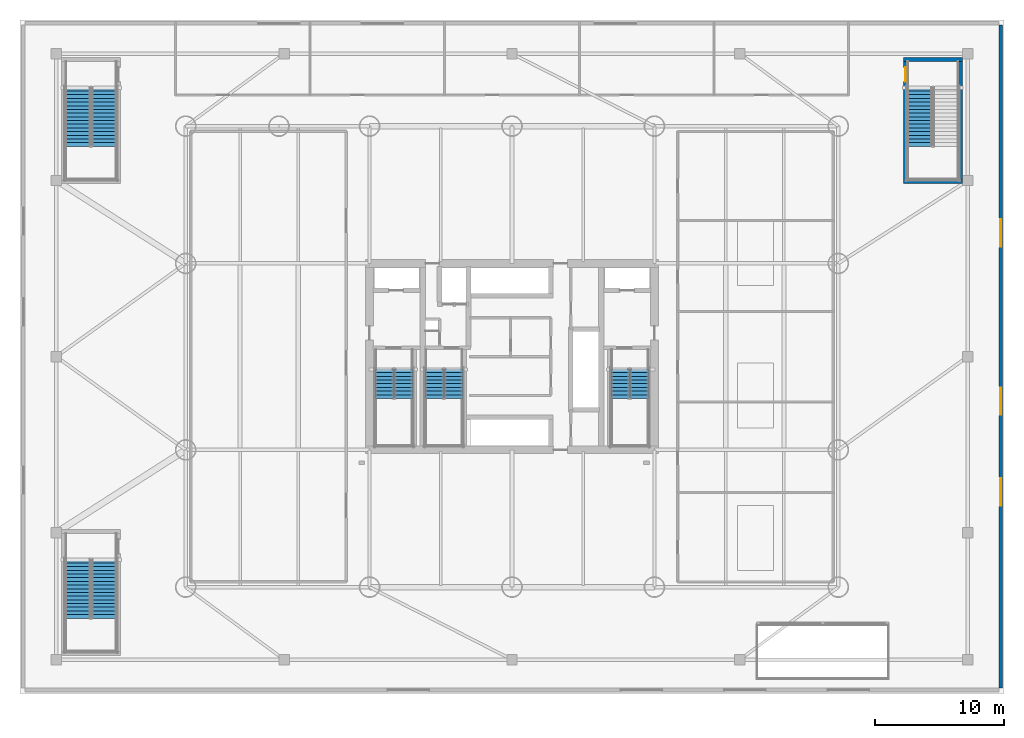
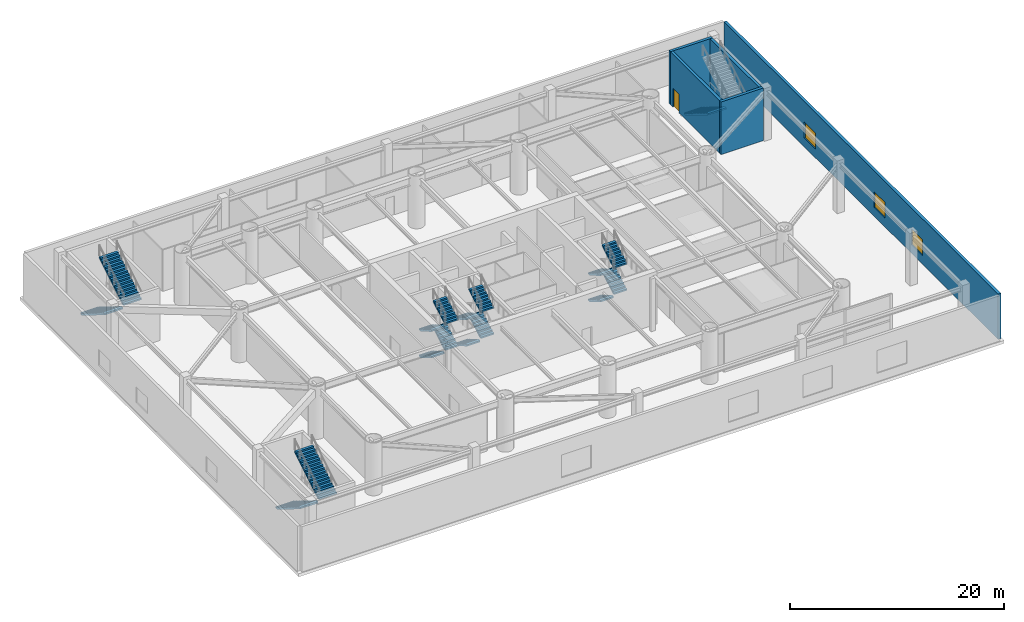
# One storey, part 9 of 17: 17 stair flights, 5 walls, 3 windows, 1 door, 4 openings, 6 elements without a shape of their own.
"""IFC4 building model written with IfcOpenShell, lengths in metres."""

import ifcopenshell
import ifcopenshell.guid

model = None  # the IFC model being written
_history = None  # IfcOwnerHistory: only IFC2X3 demands one
_inside = {}  # id of a spatial element -> (the spatial element, [elements in it])
_under = {}  # id of a project, library or spatial element -> (it, [spatial elements below it])
_declared = {}  # id of a project -> (the project, [libraries it declares])
_typed = {}  # id of a type object -> (the type object, [elements of that type])
_made_of = {}  # id of a material, layer set ... -> (it, [elements and type objects made of it])


def new_model(schema):
    """Start an empty IFC model of exactly this schema.

    Asked for "IFC4X3", IfcOpenShell would pick the latest addendum, in which some entities
    have other attributes; the version numbers below select the first issue.
    IFC2X3 requires an IfcOwnerHistory on every rooted entity: one is made here for all.
    """
    global model, _history
    if schema == "IFC4X3":
        model = ifcopenshell.file(schema_version=(4, 3, 0, 0))
    else:
        model = ifcopenshell.file(schema=schema)
    _inside.clear()
    _under.clear()
    _declared.clear()
    _typed.clear()
    _made_of.clear()
    _history = None
    if model.schema == "IFC2X3":
        org = make("IfcOrganization", Name="unknown")
        user = make(
            "IfcPersonAndOrganization",
            ThePerson=make("IfcPerson", FamilyName="unknown"),
            TheOrganization=org,
        )
        app = make(
            "IfcApplication",
            ApplicationDeveloper=org,
            Version="unknown",
            ApplicationFullName="unknown",
            ApplicationIdentifier="unknown",
        )
        _history = make(
            "IfcOwnerHistory",
            OwningUser=user,
            OwningApplication=app,
            ChangeAction="ADDED",
            CreationDate=0,
        )
    return model


def make(cls, **values):
    """One entity of the class cls with the attributes given. An attribute that is None is left unset."""
    return model.create_entity(
        cls, **{name: value for name, value in values.items() if value is not None}
    )


def rooted(cls, **values):
    """An entity with a GlobalId (a new one), such as an element, a storey or a relation."""
    return make(cls, GlobalId=ifcopenshell.guid.new(), OwnerHistory=_history, **values)


def si_unit(unit_type, name, prefix=None):
    """IfcSIUnit, for example si_unit("LENGTHUNIT", "METRE", prefix="MILLI")."""
    return make("IfcSIUnit", UnitType=unit_type, Prefix=prefix, Name=name)


def assignment(units):
    """IfcUnitAssignment: the units of a project."""
    return None if units is None else make("IfcUnitAssignment", Units=units)


def point(xyz):
    """IfcCartesianPoint."""
    return None if xyz is None else make("IfcCartesianPoint", Coordinates=xyz)


def direction(xyz):
    """IfcDirection."""
    return None if xyz is None else make("IfcDirection", DirectionRatios=xyz)


def frame(location, z_axis=None, x_axis=None):
    """IfcAxis2Placement3D, a coordinate frame: its origin and axes. An axis left out is left unset."""
    return make(
        "IfcAxis2Placement3D",
        Location=point(location),
        Axis=direction(z_axis),
        RefDirection=direction(x_axis),
    )


def frame_2d(location, x_axis=None):
    """IfcAxis2Placement2D, a coordinate frame in the plane: its origin and x axis."""
    return make(
        "IfcAxis2Placement2D", Location=point(location), RefDirection=direction(x_axis)
    )


def origin():
    """The frame at (0, 0, 0) with its axes left unset."""
    return frame((0.0, 0.0, 0.0))


def place(relative_to, where):
    """IfcLocalPlacement: puts the frame where relative to a parent placement (None: the world)."""
    return make(
        "IfcLocalPlacement", PlacementRelTo=relative_to, RelativePlacement=where
    )


def context(
    kind, dimensions, precision=None, world=None, true_north=None, identifier=None
):
    """IfcGeometricRepresentationContext, for example the 3D "Model" context."""
    return make(
        "IfcGeometricRepresentationContext",
        ContextIdentifier=identifier,
        ContextType=kind,
        CoordinateSpaceDimension=dimensions,
        Precision=precision,
        WorldCoordinateSystem=world,
        TrueNorth=true_north,
    )


def subcontext(parent, identifier, kind, view, scale=None):
    """IfcGeometricRepresentationSubContext, for example "Body" below "Model"."""
    return make(
        "IfcGeometricRepresentationSubContext",
        ContextIdentifier=identifier,
        ContextType=kind,
        ParentContext=parent,
        TargetScale=scale,
        TargetView=view,
    )


def project(units=None, contexts=None):
    """IfcProject with its units and contexts."""
    return rooted(
        "IfcProject",
        Name="project",
        RepresentationContexts=contexts,
        UnitsInContext=assignment(units),
    )


def spatial(cls, under=None, at=None, **own):
    """A site, building, storey or space (cls), placed at a placement, below another one or the project."""
    s = rooted(cls, ObjectPlacement=at, **own)
    if under is not None:
        _under.setdefault(under.id(), (under, []))[1].append(s)
    return s


def polyline(points):
    """IfcPolyline through the points."""
    return make("IfcPolyline", Points=[point(p) for p in points])


def profile(cls, at=None, kind="AREA", **sizes):
    """A parametric profile (cls). Its sizes go by their IFC names, for example OverallWidth=200.0."""
    return make(cls, ProfileType=kind, Position=at, **sizes)


def rectangle(**sizes):
    """IfcRectangleProfileDef."""
    return profile("IfcRectangleProfileDef", **sizes)


def outline(outer, holes=None, kind="AREA"):
    """IfcArbitraryClosedProfileDef: a profile drawn as a closed curve; with holes, ...WithVoids."""
    if holes is None:
        return make("IfcArbitraryClosedProfileDef", ProfileType=kind, OuterCurve=outer)
    return make(
        "IfcArbitraryProfileDefWithVoids",
        ProfileType=kind,
        OuterCurve=outer,
        InnerCurves=holes,
    )


def extrude(swept, where, along, depth):
    """IfcExtrudedAreaSolid: the profile swept, set in the frame where, extruded along a direction by depth."""
    return make(
        "IfcExtrudedAreaSolid",
        SweptArea=swept,
        Position=where,
        ExtrudedDirection=direction(along),
        Depth=depth,
    )


def shape(context_of_items, identifier, shape_type, items):
    """IfcShapeRepresentation: the items that make up one representation, for example the "Body"."""
    return make(
        "IfcShapeRepresentation",
        ContextOfItems=context_of_items,
        RepresentationIdentifier=identifier,
        RepresentationType=shape_type,
        Items=items,
    )


def material(Name=None, Category=None):
    """IfcMaterial."""
    return make("IfcMaterial", Name=Name, Category=Category)


def layer(
    of_material, thickness, ventilated=None, Name=None, Category=None, Priority=None
):
    """IfcMaterialLayer: one layer of a wall or slab, of a material (None: an air gap)."""
    return make(
        "IfcMaterialLayer",
        Material=of_material,
        LayerThickness=thickness,
        IsVentilated=ventilated,
        Name=Name,
        Category=Category,
        Priority=Priority,
    )


def layer_set(layers, Name=None):
    """IfcMaterialLayerSet."""
    return make("IfcMaterialLayerSet", MaterialLayers=layers, LayerSetName=Name)


def made_of(thing, what):
    """Note that an element or type object is made of a material, layer set ...; save() writes the relation."""
    if what is not None:
        _made_of.setdefault(what.id(), (what, []))[1].append(thing)
    return thing


def type_object(cls, material=None, **own):
    """A type object (cls), such as IfcWallType, which elements share."""
    return made_of(rooted(cls, **own), material)


def element(
    cls,
    number,
    at=None,
    inside=None,
    cuts=None,
    type_object=None,
    material=None,
    context=None,
    identifier="Body",
    shape_type=None,
    held_by="IfcProductDefinitionShape",
    body=None,
    shapes=None,
    **own,
):
    """One element of the class cls, such as IfcWall. Its Tag is "e" and its number.

    at: its placement. inside: the storey or other place that contains it. cuts: it is an
    opening in that element (IfcRelVoidsElement). A single representation is given by context,
    identifier, shape_type and body (its items); several are given by shapes. held_by: the class
    of the entity that holds the representations. save() writes the other relations.
    """
    e = rooted(cls, Tag="e%d" % number, ObjectPlacement=at, **own)
    if body is not None:
        shapes = [shape(context, identifier, shape_type, body)]
    if shapes is not None:
        e.Representation = make(held_by, Representations=shapes)
    if inside is not None:
        _inside.setdefault(inside.id(), (inside, []))[1].append(e)
    if cuts is not None:
        rooted(
            "IfcRelVoidsElement", RelatingBuildingElement=cuts, RelatedOpeningElement=e
        )
    if type_object is not None:
        _typed.setdefault(type_object.id(), (type_object, []))[1].append(e)
    return made_of(e, material)


def fill(opening, filler):
    """IfcRelFillsElement: the door or window that sits in an opening."""
    return rooted(
        "IfcRelFillsElement",
        RelatingOpeningElement=opening,
        RelatedBuildingElement=filler,
    )


def aggregate(whole, parts):
    """IfcRelAggregates: a whole, such as a stair, and the parts it consists of."""
    return rooted("IfcRelAggregates", RelatingObject=whole, RelatedObjects=parts)


def save(model, path):
    """Write the relations noted so far, then the file.

    IfcRelAggregates (storeys below a building ...), IfcRelContainedInSpatialStructure (elements
    in a storey), IfcRelDefinesByType, IfcRelAssociatesMaterial and IfcRelDeclares: one each for
    every whole, place, type object, material and project.
    """
    for whole, parts in _under.values():
        aggregate(whole, parts)
    for where, things in _inside.values():
        rooted(
            "IfcRelContainedInSpatialStructure",
            RelatedElements=things,
            RelatingStructure=where,
        )
    for kind, things in _typed.values():
        rooted("IfcRelDefinesByType", RelatedObjects=things, RelatingType=kind)
    for what, things in _made_of.values():
        rooted("IfcRelAssociatesMaterial", RelatedObjects=things, RelatingMaterial=what)
    for by, libraries in _declared.values():
        rooted("IfcRelDeclares", RelatingContext=by, RelatedDefinitions=libraries)
    model.write(path)


model = new_model("IFC4")

# Units and contexts
model_context = context("Model", 3, precision=1e-05, world=origin(), true_north=direction((0.0, 1.0)))
body_context = subcontext(model_context, "Body", "Model", "MODEL_VIEW")
ifc_project = project(units=[si_unit("LENGTHUNIT", "METRE"), si_unit("AREAUNIT", "SQUARE_METRE"), si_unit("VOLUMEUNIT", "CUBIC_METRE"), si_unit("PLANEANGLEUNIT", "RADIAN"), si_unit("MASSUNIT", "GRAM", prefix="KILO")], contexts=[model_context])

# Site, building, storey
site_placement = place(None, origin())
site = spatial("IfcSite", under=ifc_project, at=site_placement, CompositionType="ELEMENT")
building_placement = place(site_placement, origin())
building = spatial("IfcBuilding", under=site, at=building_placement, Name="Bramvorn Convention Spire", CompositionType="ELEMENT")
storey_placement = place(building_placement, frame((0.0, 0.0, 24.0)))
storey = spatial("IfcBuildingStorey", under=building, at=storey_placement, Name="L04", CompositionType="ELEMENT", Elevation=24.0)

# Wall, openings, windows
ifc_material_1 = material(Name="Precast Concrete C40/50 with Bronze Terracotta Rainscreen", Category="masonry")
ifc_layer_1 = layer(ifc_material_1, 0.300048828125)
ifc_layer_set_1 = layer_set([ifc_layer_1], Name="Precast Concrete C40/50 with Bronze Terracotta Rainscreen - WL-EXT-BRONZE-300")
wall_type_1 = type_object("IfcWallType", Name="WL-EXT-BRONZE-300", PredefinedType="SOLIDWALL", material=ifc_layer_set_1)
wall_1_placement = place(storey_placement, frame((75.75, 51.60009765625, 0.0), z_axis=(0.0, 0.0, 1.0), x_axis=(0.0, -1.0, 0.0)))
wall_1 = element("IfcWall", 1, at=wall_1_placement, inside=storey, type_object=wall_type_1, Name="L04 East podium bronze facade wall", PredefinedType="SOLIDWALL", context=body_context, shape_type="SweptSolid", body=[
    extrude(rectangle(XDim=51.2001953125, YDim=0.300048828125, at=frame_2d((25.60009765625, 0.0))), origin(), (0.0, 0.0, 1.0), 5.159912109375),
])
opening_1_placement = place(wall_1_placement, frame((15.0, 0.0, 1.0)))
opening_1 = element("IfcOpeningElement", 2, at=opening_1_placement, cuts=wall_1, Name="Opening WN04", PredefinedType="OPENING", context=body_context, shape_type="SweptSolid", body=[
    extrude(rectangle(XDim=2.10009765625, YDim=1.800048828125, at=frame_2d((1.050048828125, 0.89990234375))), frame((0.0, 0.159912109375, 0.0), z_axis=(0.0, -1.0, 0.0), x_axis=(1.0, 0.0, 0.0)), (0.0, 0.0, 1.0), 0.320068359375),
])
opening_2_placement = place(wall_1_placement, frame((28.0, 0.0, 1.0)))
opening_2 = element("IfcOpeningElement", 3, at=opening_2_placement, cuts=wall_1, Name="Opening WN04", PredefinedType="OPENING", context=body_context, shape_type="SweptSolid", body=[
    extrude(rectangle(XDim=2.10009765625, YDim=1.800048828125, at=frame_2d((1.050048828125, 0.89990234375))), frame((0.0, 0.159912109375, 0.0), z_axis=(0.0, -1.0, 0.0), x_axis=(1.0, 0.0, 0.0)), (0.0, 0.0, 1.0), 0.320068359375),
])
opening_3_placement = place(wall_1_placement, frame((35.0, 0.0, 1.0)))
opening_3 = element("IfcOpeningElement", 4, at=opening_3_placement, cuts=wall_1, Name="Opening WN04", PredefinedType="OPENING", context=body_context, shape_type="SweptSolid", body=[
    extrude(rectangle(XDim=2.10009765625, YDim=1.800048828125, at=frame_2d((1.050048828125, 0.89990234375))), frame((0.0, 0.159912109375, 0.0), z_axis=(0.0, -1.0, 0.0), x_axis=(1.0, 0.0, 0.0)), (0.0, 0.0, 1.0), 0.320068359375),
])
ifc_material_2 = material(Name="Thermally Broken Bronze Aluminium & Triple Low-E Glass", Category="aluminium")
window_type = type_object("IfcWindowType", Name="WN-OP-2100X1800", PartitioningType="SINGLE_PANEL", PredefinedType="WINDOW", material=ifc_material_2)
window_1_placement = place(opening_1_placement, origin())
window_1 = element("IfcWindow", 5, at=window_1_placement, inside=storey, type_object=window_type, Name="L04 East operable window 1", OverallHeight=1.800048828125, OverallWidth=2.10009765625, PartitioningType="SINGLE_PANEL", PredefinedType="WINDOW", context=body_context, shape_type="SweptSolid", body=[
    extrude(rectangle(XDim=2.10009765625, YDim=1.800048828125, at=frame_2d((1.050048828125, 0.89990234375))), frame((0.0, 0.030029296875, 0.0), z_axis=(0.0, -1.0, 0.0), x_axis=(1.0, 0.0, 0.0)), (0.0, 0.0, 1.0), 0.06005859375),
])
fill(opening_1, window_1)
window_2_placement = place(opening_2_placement, origin())
window_2 = element("IfcWindow", 6, at=window_2_placement, inside=storey, type_object=window_type, Name="L04 East operable window 2", OverallHeight=1.800048828125, OverallWidth=2.10009765625, PartitioningType="SINGLE_PANEL", PredefinedType="WINDOW", context=body_context, shape_type="SweptSolid", body=[
    extrude(rectangle(XDim=2.10009765625, YDim=1.800048828125, at=frame_2d((1.050048828125, 0.89990234375))), frame((0.0, 0.030029296875, 0.0), z_axis=(0.0, -1.0, 0.0), x_axis=(1.0, 0.0, 0.0)), (0.0, 0.0, 1.0), 0.06005859375),
])
fill(opening_2, window_2)
window_3_placement = place(opening_3_placement, origin())
window_3 = element("IfcWindow", 7, at=window_3_placement, inside=storey, type_object=window_type, Name="L04 East operable window 3", OverallHeight=1.800048828125, OverallWidth=2.10009765625, PartitioningType="SINGLE_PANEL", PredefinedType="WINDOW", context=body_context, shape_type="SweptSolid", body=[
    extrude(rectangle(XDim=2.10009765625, YDim=1.800048828125, at=frame_2d((1.050048828125, 0.89990234375))), frame((0.0, 0.030029296875, 0.0), z_axis=(0.0, -1.0, 0.0), x_axis=(1.0, 0.0, 0.0)), (0.0, 0.0, 1.0), 0.06005859375),
])
fill(opening_3, window_3)

# Walls
ifc_material_3 = material(Name="Concrete C50/60", Category="concrete")
ifc_layer_2 = layer(ifc_material_3, 0.300048828125)
ifc_layer_set_2 = layer_set([ifc_layer_2], Name="Concrete C50/60 - WL-POD-STAIR-300")
wall_type_2 = type_object("IfcWallType", Name="WL-POD-STAIR-300", PredefinedType="SHEAR", material=ifc_layer_set_2)
for number, where, z_axis, x_axis, name in (
    (8, (68.22998046875, 39.510009765625, 0.0), (0.0, 0.0, 1.0), (1.0, 0.0, 0.0), "L04 ST5 south shaft wall"),
    (9, (68.22998046875, 48.93994140625, 0.0), (0.0, 0.0, 1.0), (1.0, 0.0, 0.0), "L04 ST5 north shaft wall"),
):
    element("IfcWall", number, at=place(storey_placement, frame(where, z_axis=z_axis, x_axis=x_axis)), inside=storey, type_object=wall_type_2, Name=name, PredefinedType="SHEAR", context=body_context, shape_type="SweptSolid", body=[
        extrude(rectangle(XDim=4.56005859375, YDim=0.300048828125, at=frame_2d((2.280029296875, 0.0))), origin(), (0.0, 0.0, 1.0), 6.0),
    ])

# Wall, opening, door
wall_2_placement = place(storey_placement, frame((68.3798828125, 39.659912109375, 0.0), z_axis=(0.0, 0.0, 1.0), x_axis=(0.0, 1.0, 0.0)))
wall_2 = element("IfcWall", 10, at=wall_2_placement, inside=storey, type_object=wall_type_2, Name="L04 ST5 west shaft wall", PredefinedType="SHEAR", context=body_context, shape_type="SweptSolid", body=[
    extrude(rectangle(XDim=9.130126953125, YDim=0.300048828125, at=frame_2d((4.56494140625, 0.0))), origin(), (0.0, 0.0, 1.0), 6.0),
])
opening_4_placement = place(wall_2_placement, frame((7.580078125, 0.0, 0.0)))
opening_4 = element("IfcOpeningElement", 11, at=opening_4_placement, cuts=wall_2, Name="Opening DS-110", PredefinedType="OPENING", context=body_context, shape_type="SweptSolid", body=[
    extrude(rectangle(XDim=1.10009765625, YDim=2.14990234375, at=frame_2d((0.550048828125, 1.074951171875))), frame((0.0, 0.159912109375, 0.0), z_axis=(0.0, -1.0, 0.0), x_axis=(1.0, 0.0, 0.0)), (0.0, 0.0, 1.0), 0.320068359375),
])
ifc_material_4 = material(Name="Fire-Rated Hollow Steel Stairwell Door", Category="steel")
door_type = type_object("IfcDoorType", Name="DR-STAIR-1100", OperationType="NOTDEFINED", PredefinedType="DOOR", material=ifc_material_4)
door_placement = place(opening_4_placement, origin())
door = element("IfcDoor", 12, at=door_placement, inside=storey, type_object=door_type, Name="L04 ST5 exit stairwell door", OperationType="SINGLE_SWING_LEFT", OverallHeight=2.14990234375, OverallWidth=1.10009765625, PredefinedType="DOOR", context=body_context, shape_type="SweptSolid", body=[
    extrude(rectangle(XDim=1.10009765625, YDim=2.14990234375, at=frame_2d((0.550048828125, 1.074951171875))), frame((0.0, 0.02490234375, 0.0), z_axis=(0.0, -1.0, 0.0), x_axis=(1.0, 0.0, 0.0)), (0.0, 0.0, 1.0), 0.050048828125),
])
fill(opening_4, door)

# Wall
wall_3_placement = place(storey_placement, frame((72.639892578125, 48.7900390625, 0.0), z_axis=(0.0, 0.0, 1.0), x_axis=(0.0, -1.0, 0.0)))
element("IfcWall", 13, at=wall_3_placement, inside=storey, type_object=wall_type_2, Name="L04 ST5 east shaft wall", PredefinedType="SHEAR", context=body_context, shape_type="SweptSolid", body=[
    extrude(rectangle(XDim=9.130126953125, YDim=0.300048828125, at=frame_2d((4.56494140625, 0.0))), origin(), (0.0, 0.0, 1.0), 6.0),
])

# Stair, stair flights
ifc_material_5 = material(Name="Concrete C40/50 Grand Exit Stair", Category="concrete")
stair_type_1 = type_object("IfcStairType", Name="ST-PODIUM-1950", PredefinedType="HALF_TURN_STAIR", material=ifc_material_5)
stair_1_placement = place(storey_placement, origin())
stair_1 = element("IfcStair", 14, at=stair_1_placement, inside=storey, type_object=stair_type_1, Name="L04 Protected Exit Stair ST4", PredefinedType="HALF_TURN_STAIR")
ifc_material_6 = material(Name="Concrete C40/50 Precast Stair Flight", Category="concrete")
stair_flight_type_1 = type_object("IfcStairFlightType", Name="STF-PODIUM-1950", PredefinedType="STRAIGHT", material=ifc_material_6)
stair_flight_1_placement = place(storey_placement, frame((4.47509765625, 10.35009765625, 0.0), z_axis=(0.0, 0.0, 1.0), x_axis=(0.0, -1.0, 0.0)))
stair_flight_1 = element("IfcStairFlight", 15, at=stair_flight_1_placement, type_object=stair_flight_type_1, Name="ST4 flight 1", NumberOfRisers=17, NumberOfTreads=16, PredefinedType="STRAIGHT", RiserHeight=0.176470588, TreadLength=0.285, context=body_context, shape_type="SweptSolid", body=[
    extrude(outline(polyline([(0.0, 0.0), (0.0, 0.176513671875), (0.284912109375, 0.176513671875), (0.284912109375, 0.35302734375), (0.570068359375, 0.35302734375), (0.570068359375, 0.529296875), (0.85498046875, 0.529296875), (0.85498046875, 0.705810546875), (1.139892578125, 0.705810546875), (1.139892578125, 0.88232421875), (1.425048828125, 0.88232421875), (1.425048828125, 1.058837890625), (1.7099609375, 1.058837890625), (1.7099609375, 1.2353515625), (1.9951171875, 1.2353515625), (1.9951171875, 1.411865234375), (2.280029296875, 1.411865234375), (2.280029296875, 1.588134765625), (2.56494140625, 1.588134765625), (2.56494140625, 1.7646484375), (2.85009765625, 1.7646484375), (2.85009765625, 1.941162109375), (3.135009765625, 1.941162109375), (3.135009765625, 2.11767578125), (3.419921875, 2.11767578125), (3.419921875, 2.294189453125), (3.705078125, 2.294189453125), (3.705078125, 2.470703125), (3.989990234375, 2.470703125), (3.989990234375, 2.64697265625), (4.27490234375, 2.64697265625), (4.27490234375, 2.823486328125), (4.56005859375, 2.823486328125), (4.56005859375, 3.0), (4.56005859375, 2.647216796875), (0.28466796875, 0.0), (0.0, 0.0)])), frame((0.0, 0.97509765625, 0.0), z_axis=(0.0, -1.0, 0.0), x_axis=(1.0, 0.0, 0.0)), (0.0, 0.0, 1.0), 1.949951171875),
])
stair_flight_2_placement = place(storey_placement, frame((6.5048828125, 5.7900390625, 3.0), z_axis=(0.0, 0.0, 1.0), x_axis=(0.0, 1.0, 0.0)))
stair_flight_2 = element("IfcStairFlight", 16, at=stair_flight_2_placement, type_object=stair_flight_type_1, Name="ST4 flight 2", NumberOfRisers=17, NumberOfTreads=16, PredefinedType="STRAIGHT", RiserHeight=0.176470588, TreadLength=0.285, context=body_context, shape_type="SweptSolid", body=[
    extrude(outline(polyline([(0.0, 0.0), (0.0, 0.176513671875), (0.284912109375, 0.176513671875), (0.284912109375, 0.35302734375), (0.570068359375, 0.35302734375), (0.570068359375, 0.529296875), (0.85498046875, 0.529296875), (0.85498046875, 0.705810546875), (1.139892578125, 0.705810546875), (1.139892578125, 0.88232421875), (1.425048828125, 0.88232421875), (1.425048828125, 1.058837890625), (1.7099609375, 1.058837890625), (1.7099609375, 1.2353515625), (1.9951171875, 1.2353515625), (1.9951171875, 1.411865234375), (2.280029296875, 1.411865234375), (2.280029296875, 1.588134765625), (2.56494140625, 1.588134765625), (2.56494140625, 1.7646484375), (2.85009765625, 1.7646484375), (2.85009765625, 1.941162109375), (3.135009765625, 1.941162109375), (3.135009765625, 2.11767578125), (3.419921875, 2.11767578125), (3.419921875, 2.294189453125), (3.705078125, 2.294189453125), (3.705078125, 2.470703125), (3.989990234375, 2.470703125), (3.989990234375, 2.64697265625), (4.27490234375, 2.64697265625), (4.27490234375, 2.823486328125), (4.56005859375, 2.823486328125), (4.56005859375, 3.0), (4.56005859375, 2.647216796875), (0.28466796875, 0.0), (0.0, 0.0)])), frame((0.0, 0.97509765625, 0.0), z_axis=(0.0, -1.0, 0.0), x_axis=(1.0, 0.0, 0.0)), (0.0, 0.0, 1.0), 1.949951171875),
])
aggregate(stair_1, [stair_flight_1, stair_flight_2])

# Stair, stair flight
stair_2_placement = place(storey_placement, origin())
stair_2 = element("IfcStair", 17, at=stair_2_placement, inside=storey, type_object=stair_type_1, Name="L04 Protected Exit Stair ST5", PredefinedType="HALF_TURN_STAIR")
stair_flight_3_placement = place(storey_placement, frame((69.4951171875, 46.800048828125, 0.0), z_axis=(0.0, 0.0, 1.0), x_axis=(0.0, -1.0, 0.0)))
stair_flight_3 = element("IfcStairFlight", 18, at=stair_flight_3_placement, type_object=stair_flight_type_1, Name="ST5 flight 1", NumberOfRisers=17, NumberOfTreads=16, PredefinedType="STRAIGHT", RiserHeight=0.176470588, TreadLength=0.285, context=body_context, shape_type="SweptSolid", body=[
    extrude(outline(polyline([(0.0, 0.0), (0.0, 0.176513671875), (0.284912109375, 0.176513671875), (0.284912109375, 0.35302734375), (0.570068359375, 0.35302734375), (0.570068359375, 0.529296875), (0.85498046875, 0.529296875), (0.85498046875, 0.705810546875), (1.139892578125, 0.705810546875), (1.139892578125, 0.88232421875), (1.425048828125, 0.88232421875), (1.425048828125, 1.058837890625), (1.7099609375, 1.058837890625), (1.7099609375, 1.2353515625), (1.9951171875, 1.2353515625), (1.9951171875, 1.411865234375), (2.280029296875, 1.411865234375), (2.280029296875, 1.588134765625), (2.56494140625, 1.588134765625), (2.56494140625, 1.7646484375), (2.85009765625, 1.7646484375), (2.85009765625, 1.941162109375), (3.135009765625, 1.941162109375), (3.135009765625, 2.11767578125), (3.419921875, 2.11767578125), (3.419921875, 2.294189453125), (3.705078125, 2.294189453125), (3.705078125, 2.470703125), (3.989990234375, 2.470703125), (3.989990234375, 2.64697265625), (4.27490234375, 2.64697265625), (4.27490234375, 2.823486328125), (4.56005859375, 2.823486328125), (4.56005859375, 3.0), (4.56005859375, 2.647216796875), (0.28466796875, 0.0), (0.0, 0.0)])), frame((0.0, 0.97509765625, 0.0), z_axis=(0.0, -1.0, 0.0), x_axis=(1.0, 0.0, 0.0)), (0.0, 0.0, 1.0), 1.949951171875),
])
aggregate(stair_2, [stair_flight_3])

# Stair, stair flights
stair_3_placement = place(storey_placement, origin())
stair_3 = element("IfcStair", 19, at=stair_3_placement, inside=storey, type_object=stair_type_1, Name="L04 Protected Exit Stair ST6", PredefinedType="HALF_TURN_STAIR")
stair_flight_4_placement = place(storey_placement, frame((4.47509765625, 46.800048828125, 0.0), z_axis=(0.0, 0.0, 1.0), x_axis=(0.0, -1.0, 0.0)))
stair_flight_4 = element("IfcStairFlight", 20, at=stair_flight_4_placement, type_object=stair_flight_type_1, Name="ST6 flight 1", NumberOfRisers=17, NumberOfTreads=16, PredefinedType="STRAIGHT", RiserHeight=0.176470588, TreadLength=0.285, context=body_context, shape_type="SweptSolid", body=[
    extrude(outline(polyline([(0.0, 0.0), (0.0, 0.176513671875), (0.284912109375, 0.176513671875), (0.284912109375, 0.35302734375), (0.570068359375, 0.35302734375), (0.570068359375, 0.529296875), (0.85498046875, 0.529296875), (0.85498046875, 0.705810546875), (1.139892578125, 0.705810546875), (1.139892578125, 0.88232421875), (1.425048828125, 0.88232421875), (1.425048828125, 1.058837890625), (1.7099609375, 1.058837890625), (1.7099609375, 1.2353515625), (1.9951171875, 1.2353515625), (1.9951171875, 1.411865234375), (2.280029296875, 1.411865234375), (2.280029296875, 1.588134765625), (2.56494140625, 1.588134765625), (2.56494140625, 1.7646484375), (2.85009765625, 1.7646484375), (2.85009765625, 1.941162109375), (3.135009765625, 1.941162109375), (3.135009765625, 2.11767578125), (3.419921875, 2.11767578125), (3.419921875, 2.294189453125), (3.705078125, 2.294189453125), (3.705078125, 2.470703125), (3.989990234375, 2.470703125), (3.989990234375, 2.64697265625), (4.27490234375, 2.64697265625), (4.27490234375, 2.823486328125), (4.56005859375, 2.823486328125), (4.56005859375, 3.0), (4.56005859375, 2.647216796875), (0.28466796875, 0.0), (0.0, 0.0)])), frame((0.0, 0.97509765625, 0.0), z_axis=(0.0, -1.0, 0.0), x_axis=(1.0, 0.0, 0.0)), (0.0, 0.0, 1.0), 1.949951171875),
])
stair_flight_5_placement = place(storey_placement, frame((6.5048828125, 42.239990234375, 3.0), z_axis=(0.0, 0.0, 1.0), x_axis=(0.0, 1.0, 0.0)))
stair_flight_5 = element("IfcStairFlight", 21, at=stair_flight_5_placement, type_object=stair_flight_type_1, Name="ST6 flight 2", NumberOfRisers=17, NumberOfTreads=16, PredefinedType="STRAIGHT", RiserHeight=0.176470588, TreadLength=0.285, context=body_context, shape_type="SweptSolid", body=[
    extrude(outline(polyline([(0.0, 0.0), (0.0, 0.176513671875), (0.284912109375, 0.176513671875), (0.284912109375, 0.35302734375), (0.570068359375, 0.35302734375), (0.570068359375, 0.529296875), (0.85498046875, 0.529296875), (0.85498046875, 0.705810546875), (1.139892578125, 0.705810546875), (1.139892578125, 0.88232421875), (1.425048828125, 0.88232421875), (1.425048828125, 1.058837890625), (1.7099609375, 1.058837890625), (1.7099609375, 1.2353515625), (1.9951171875, 1.2353515625), (1.9951171875, 1.411865234375), (2.280029296875, 1.411865234375), (2.280029296875, 1.588134765625), (2.56494140625, 1.588134765625), (2.56494140625, 1.7646484375), (2.85009765625, 1.7646484375), (2.85009765625, 1.941162109375), (3.135009765625, 1.941162109375), (3.135009765625, 2.11767578125), (3.419921875, 2.11767578125), (3.419921875, 2.294189453125), (3.705078125, 2.294189453125), (3.705078125, 2.470703125), (3.989990234375, 2.470703125), (3.989990234375, 2.64697265625), (4.27490234375, 2.64697265625), (4.27490234375, 2.823486328125), (4.56005859375, 2.823486328125), (4.56005859375, 3.0), (4.56005859375, 2.647216796875), (0.28466796875, 0.0), (0.0, 0.0)])), frame((0.0, 0.97509765625, 0.0), z_axis=(0.0, -1.0, 0.0), x_axis=(1.0, 0.0, 0.0)), (0.0, 0.0, 1.0), 1.949951171875),
])
aggregate(stair_3, [stair_flight_4, stair_flight_5])

ifc_material_7 = material(Name="Concrete C40/50 Precast Stair", Category="concrete")
stair_type_2 = type_object("IfcStairType", Name="ST-TOWER-1550", PredefinedType="HALF_TURN_STAIR", material=ifc_material_7)
stair_4_placement = place(storey_placement, origin())
stair_4 = element("IfcStair", 22, at=stair_4_placement, inside=storey, type_object=stair_type_2, Name="L04 Protected Exit Stair ST1", PredefinedType="HALF_TURN_STAIR")
stair_flight_type_2 = type_object("IfcStairFlightType", Name="STF-TOWER-1550", PredefinedType="STRAIGHT", material=ifc_material_6)
stair_flight_6_placement = place(storey_placement, frame((28.155029296875, 25.050048828125, 0.0), z_axis=(0.0, 0.0, 1.0), x_axis=(0.0, -1.0, 0.0)))
stair_flight_6 = element("IfcStairFlight", 23, at=stair_flight_6_placement, type_object=stair_flight_type_2, Name="ST1 flight 1", NumberOfRisers=9, NumberOfTreads=8, PredefinedType="STRAIGHT", RiserHeight=0.166666667, TreadLength=0.285, context=body_context, shape_type="SweptSolid", body=[
    extrude(outline(polyline([(0.0, 0.0), (0.0, 0.166748046875), (0.284912109375, 0.166748046875), (0.284912109375, 0.333251953125), (0.570068359375, 0.333251953125), (0.570068359375, 0.5), (0.85498046875, 0.5), (0.85498046875, 0.666748046875), (1.139892578125, 0.666748046875), (1.139892578125, 0.833251953125), (1.425048828125, 0.833251953125), (1.425048828125, 1.0), (1.7099609375, 1.0), (1.7099609375, 1.166748046875), (1.9951171875, 1.166748046875), (1.9951171875, 1.333251953125), (2.280029296875, 1.333251953125), (2.280029296875, 1.5), (2.280029296875, 1.15966796875), (0.296875, 0.0), (0.0, 0.0)])), frame((0.0, 0.705078125, 0.0), z_axis=(0.0, -1.0, 0.0), x_axis=(1.0, 0.0, 0.0)), (0.0, 0.0, 1.0), 1.409912109375),
])
stair_flight_7_placement = place(storey_placement, frame((29.64501953125, 22.77001953125, 1.5), z_axis=(0.0, 0.0, 1.0), x_axis=(0.0, 1.0, 0.0)))
stair_flight_7 = element("IfcStairFlight", 24, at=stair_flight_7_placement, type_object=stair_flight_type_2, Name="ST1 flight 2", NumberOfRisers=9, NumberOfTreads=8, PredefinedType="STRAIGHT", RiserHeight=0.166666667, TreadLength=0.285, context=body_context, shape_type="SweptSolid", body=[
    extrude(outline(polyline([(0.0, 0.0), (0.0, 0.166748046875), (0.284912109375, 0.166748046875), (0.284912109375, 0.333251953125), (0.570068359375, 0.333251953125), (0.570068359375, 0.5), (0.85498046875, 0.5), (0.85498046875, 0.666748046875), (1.139892578125, 0.666748046875), (1.139892578125, 0.833251953125), (1.425048828125, 0.833251953125), (1.425048828125, 1.0), (1.7099609375, 1.0), (1.7099609375, 1.166748046875), (1.9951171875, 1.166748046875), (1.9951171875, 1.333251953125), (2.280029296875, 1.333251953125), (2.280029296875, 1.5), (2.280029296875, 1.15966796875), (0.296875, 0.0), (0.0, 0.0)])), frame((0.0, 0.705078125, 0.0), z_axis=(0.0, -1.0, 0.0), x_axis=(1.0, 0.0, 0.0)), (0.0, 0.0, 1.0), 1.409912109375),
])
stair_flight_8_placement = place(storey_placement, frame((28.155029296875, 25.050048828125, 3.0), z_axis=(0.0, 0.0, 1.0), x_axis=(0.0, -1.0, 0.0)))
stair_flight_8 = element("IfcStairFlight", 25, at=stair_flight_8_placement, type_object=stair_flight_type_2, Name="ST1 flight 3", NumberOfRisers=9, NumberOfTreads=8, PredefinedType="STRAIGHT", RiserHeight=0.166666667, TreadLength=0.285, context=body_context, shape_type="SweptSolid", body=[
    extrude(outline(polyline([(0.0, 0.0), (0.0, 0.166748046875), (0.284912109375, 0.166748046875), (0.284912109375, 0.333251953125), (0.570068359375, 0.333251953125), (0.570068359375, 0.5), (0.85498046875, 0.5), (0.85498046875, 0.666748046875), (1.139892578125, 0.666748046875), (1.139892578125, 0.833251953125), (1.425048828125, 0.833251953125), (1.425048828125, 1.0), (1.7099609375, 1.0), (1.7099609375, 1.166748046875), (1.9951171875, 1.166748046875), (1.9951171875, 1.333251953125), (2.280029296875, 1.333251953125), (2.280029296875, 1.5), (2.280029296875, 1.15966796875), (0.296875, 0.0), (0.0, 0.0)])), frame((0.0, 0.705078125, 0.0), z_axis=(0.0, -1.0, 0.0), x_axis=(1.0, 0.0, 0.0)), (0.0, 0.0, 1.0), 1.409912109375),
])
stair_flight_9_placement = place(storey_placement, frame((29.64501953125, 22.77001953125, 4.5), z_axis=(0.0, 0.0, 1.0), x_axis=(0.0, 1.0, 0.0)))
stair_flight_9 = element("IfcStairFlight", 26, at=stair_flight_9_placement, type_object=stair_flight_type_2, Name="ST1 flight 4", NumberOfRisers=9, NumberOfTreads=8, PredefinedType="STRAIGHT", RiserHeight=0.166666667, TreadLength=0.285, context=body_context, shape_type="SweptSolid", body=[
    extrude(outline(polyline([(0.0, 0.0), (0.0, 0.166748046875), (0.284912109375, 0.166748046875), (0.284912109375, 0.333251953125), (0.570068359375, 0.333251953125), (0.570068359375, 0.5), (0.85498046875, 0.5), (0.85498046875, 0.666748046875), (1.139892578125, 0.666748046875), (1.139892578125, 0.833251953125), (1.425048828125, 0.833251953125), (1.425048828125, 1.0), (1.7099609375, 1.0), (1.7099609375, 1.166748046875), (1.9951171875, 1.166748046875), (1.9951171875, 1.333251953125), (2.280029296875, 1.333251953125), (2.280029296875, 1.5), (2.280029296875, 1.15966796875), (0.296875, 0.0), (0.0, 0.0)])), frame((0.0, 0.705078125, 0.0), z_axis=(0.0, -1.0, 0.0), x_axis=(1.0, 0.0, 0.0)), (0.0, 0.0, 1.0), 1.409912109375),
])
aggregate(stair_4, [stair_flight_6, stair_flight_7, stair_flight_8, stair_flight_9])

stair_5_placement = place(storey_placement, origin())
stair_5 = element("IfcStair", 27, at=stair_5_placement, inside=storey, type_object=stair_type_2, Name="L04 Protected Exit Stair ST2", PredefinedType="HALF_TURN_STAIR")
stair_flight_10_placement = place(storey_placement, frame((46.35498046875, 25.050048828125, 0.0), z_axis=(0.0, 0.0, 1.0), x_axis=(0.0, -1.0, 0.0)))
stair_flight_10 = element("IfcStairFlight", 28, at=stair_flight_10_placement, type_object=stair_flight_type_2, Name="ST2 flight 1", NumberOfRisers=9, NumberOfTreads=8, PredefinedType="STRAIGHT", RiserHeight=0.166666667, TreadLength=0.285, context=body_context, shape_type="SweptSolid", body=[
    extrude(outline(polyline([(0.0, 0.0), (0.0, 0.166748046875), (0.284912109375, 0.166748046875), (0.284912109375, 0.333251953125), (0.570068359375, 0.333251953125), (0.570068359375, 0.5), (0.85498046875, 0.5), (0.85498046875, 0.666748046875), (1.139892578125, 0.666748046875), (1.139892578125, 0.833251953125), (1.425048828125, 0.833251953125), (1.425048828125, 1.0), (1.7099609375, 1.0), (1.7099609375, 1.166748046875), (1.9951171875, 1.166748046875), (1.9951171875, 1.333251953125), (2.280029296875, 1.333251953125), (2.280029296875, 1.5), (2.280029296875, 1.15966796875), (0.296875, 0.0), (0.0, 0.0)])), frame((0.0, 0.705078125, 0.0), z_axis=(0.0, -1.0, 0.0), x_axis=(1.0, 0.0, 0.0)), (0.0, 0.0, 1.0), 1.409912109375),
])
stair_flight_11_placement = place(storey_placement, frame((47.844970703125, 22.77001953125, 1.5), z_axis=(0.0, 0.0, 1.0), x_axis=(0.0, 1.0, 0.0)))
stair_flight_11 = element("IfcStairFlight", 29, at=stair_flight_11_placement, type_object=stair_flight_type_2, Name="ST2 flight 2", NumberOfRisers=9, NumberOfTreads=8, PredefinedType="STRAIGHT", RiserHeight=0.166666667, TreadLength=0.285, context=body_context, shape_type="SweptSolid", body=[
    extrude(outline(polyline([(0.0, 0.0), (0.0, 0.166748046875), (0.284912109375, 0.166748046875), (0.284912109375, 0.333251953125), (0.570068359375, 0.333251953125), (0.570068359375, 0.5), (0.85498046875, 0.5), (0.85498046875, 0.666748046875), (1.139892578125, 0.666748046875), (1.139892578125, 0.833251953125), (1.425048828125, 0.833251953125), (1.425048828125, 1.0), (1.7099609375, 1.0), (1.7099609375, 1.166748046875), (1.9951171875, 1.166748046875), (1.9951171875, 1.333251953125), (2.280029296875, 1.333251953125), (2.280029296875, 1.5), (2.280029296875, 1.15966796875), (0.296875, 0.0), (0.0, 0.0)])), frame((0.0, 0.705078125, 0.0), z_axis=(0.0, -1.0, 0.0), x_axis=(1.0, 0.0, 0.0)), (0.0, 0.0, 1.0), 1.409912109375),
])
stair_flight_12_placement = place(storey_placement, frame((46.35498046875, 25.050048828125, 3.0), z_axis=(0.0, 0.0, 1.0), x_axis=(0.0, -1.0, 0.0)))
stair_flight_12 = element("IfcStairFlight", 30, at=stair_flight_12_placement, type_object=stair_flight_type_2, Name="ST2 flight 3", NumberOfRisers=9, NumberOfTreads=8, PredefinedType="STRAIGHT", RiserHeight=0.166666667, TreadLength=0.285, context=body_context, shape_type="SweptSolid", body=[
    extrude(outline(polyline([(0.0, 0.0), (0.0, 0.166748046875), (0.284912109375, 0.166748046875), (0.284912109375, 0.333251953125), (0.570068359375, 0.333251953125), (0.570068359375, 0.5), (0.85498046875, 0.5), (0.85498046875, 0.666748046875), (1.139892578125, 0.666748046875), (1.139892578125, 0.833251953125), (1.425048828125, 0.833251953125), (1.425048828125, 1.0), (1.7099609375, 1.0), (1.7099609375, 1.166748046875), (1.9951171875, 1.166748046875), (1.9951171875, 1.333251953125), (2.280029296875, 1.333251953125), (2.280029296875, 1.5), (2.280029296875, 1.15966796875), (0.296875, 0.0), (0.0, 0.0)])), frame((0.0, 0.705078125, 0.0), z_axis=(0.0, -1.0, 0.0), x_axis=(1.0, 0.0, 0.0)), (0.0, 0.0, 1.0), 1.409912109375),
])
stair_flight_13_placement = place(storey_placement, frame((47.844970703125, 22.77001953125, 4.5), z_axis=(0.0, 0.0, 1.0), x_axis=(0.0, 1.0, 0.0)))
stair_flight_13 = element("IfcStairFlight", 31, at=stair_flight_13_placement, type_object=stair_flight_type_2, Name="ST2 flight 4", NumberOfRisers=9, NumberOfTreads=8, PredefinedType="STRAIGHT", RiserHeight=0.166666667, TreadLength=0.285, context=body_context, shape_type="SweptSolid", body=[
    extrude(outline(polyline([(0.0, 0.0), (0.0, 0.166748046875), (0.284912109375, 0.166748046875), (0.284912109375, 0.333251953125), (0.570068359375, 0.333251953125), (0.570068359375, 0.5), (0.85498046875, 0.5), (0.85498046875, 0.666748046875), (1.139892578125, 0.666748046875), (1.139892578125, 0.833251953125), (1.425048828125, 0.833251953125), (1.425048828125, 1.0), (1.7099609375, 1.0), (1.7099609375, 1.166748046875), (1.9951171875, 1.166748046875), (1.9951171875, 1.333251953125), (2.280029296875, 1.333251953125), (2.280029296875, 1.5), (2.280029296875, 1.15966796875), (0.296875, 0.0), (0.0, 0.0)])), frame((0.0, 0.705078125, 0.0), z_axis=(0.0, -1.0, 0.0), x_axis=(1.0, 0.0, 0.0)), (0.0, 0.0, 1.0), 1.409912109375),
])
aggregate(stair_5, [stair_flight_10, stair_flight_11, stair_flight_12, stair_flight_13])

stair_6_placement = place(storey_placement, origin())
stair_6 = element("IfcStair", 32, at=stair_6_placement, inside=storey, type_object=stair_type_2, Name="L04 Protected Exit Stair ST3", PredefinedType="HALF_TURN_STAIR")
stair_flight_14_placement = place(storey_placement, frame((32.0048828125, 25.050048828125, 0.0), z_axis=(0.0, 0.0, 1.0), x_axis=(0.0, -1.0, 0.0)))
stair_flight_14 = element("IfcStairFlight", 33, at=stair_flight_14_placement, type_object=stair_flight_type_2, Name="ST3 flight 1", NumberOfRisers=9, NumberOfTreads=8, PredefinedType="STRAIGHT", RiserHeight=0.166666667, TreadLength=0.285, context=body_context, shape_type="SweptSolid", body=[
    extrude(outline(polyline([(0.0, 0.0), (0.0, 0.166748046875), (0.284912109375, 0.166748046875), (0.284912109375, 0.333251953125), (0.570068359375, 0.333251953125), (0.570068359375, 0.5), (0.85498046875, 0.5), (0.85498046875, 0.666748046875), (1.139892578125, 0.666748046875), (1.139892578125, 0.833251953125), (1.425048828125, 0.833251953125), (1.425048828125, 1.0), (1.7099609375, 1.0), (1.7099609375, 1.166748046875), (1.9951171875, 1.166748046875), (1.9951171875, 1.333251953125), (2.280029296875, 1.333251953125), (2.280029296875, 1.5), (2.280029296875, 1.15966796875), (0.296875, 0.0), (0.0, 0.0)])), frame((0.0, 0.705078125, 0.0), z_axis=(0.0, -1.0, 0.0), x_axis=(1.0, 0.0, 0.0)), (0.0, 0.0, 1.0), 1.409912109375),
])
stair_flight_15_placement = place(storey_placement, frame((33.4951171875, 22.77001953125, 1.5), z_axis=(0.0, 0.0, 1.0), x_axis=(0.0, 1.0, 0.0)))
stair_flight_15 = element("IfcStairFlight", 34, at=stair_flight_15_placement, type_object=stair_flight_type_2, Name="ST3 flight 2", NumberOfRisers=9, NumberOfTreads=8, PredefinedType="STRAIGHT", RiserHeight=0.166666667, TreadLength=0.285, context=body_context, shape_type="SweptSolid", body=[
    extrude(outline(polyline([(0.0, 0.0), (0.0, 0.166748046875), (0.284912109375, 0.166748046875), (0.284912109375, 0.333251953125), (0.570068359375, 0.333251953125), (0.570068359375, 0.5), (0.85498046875, 0.5), (0.85498046875, 0.666748046875), (1.139892578125, 0.666748046875), (1.139892578125, 0.833251953125), (1.425048828125, 0.833251953125), (1.425048828125, 1.0), (1.7099609375, 1.0), (1.7099609375, 1.166748046875), (1.9951171875, 1.166748046875), (1.9951171875, 1.333251953125), (2.280029296875, 1.333251953125), (2.280029296875, 1.5), (2.280029296875, 1.15966796875), (0.296875, 0.0), (0.0, 0.0)])), frame((0.0, 0.705078125, 0.0), z_axis=(0.0, -1.0, 0.0), x_axis=(1.0, 0.0, 0.0)), (0.0, 0.0, 1.0), 1.409912109375),
])
stair_flight_16_placement = place(storey_placement, frame((32.0048828125, 25.050048828125, 3.0), z_axis=(0.0, 0.0, 1.0), x_axis=(0.0, -1.0, 0.0)))
stair_flight_16 = element("IfcStairFlight", 35, at=stair_flight_16_placement, type_object=stair_flight_type_2, Name="ST3 flight 3", NumberOfRisers=9, NumberOfTreads=8, PredefinedType="STRAIGHT", RiserHeight=0.166666667, TreadLength=0.285, context=body_context, shape_type="SweptSolid", body=[
    extrude(outline(polyline([(0.0, 0.0), (0.0, 0.166748046875), (0.284912109375, 0.166748046875), (0.284912109375, 0.333251953125), (0.570068359375, 0.333251953125), (0.570068359375, 0.5), (0.85498046875, 0.5), (0.85498046875, 0.666748046875), (1.139892578125, 0.666748046875), (1.139892578125, 0.833251953125), (1.425048828125, 0.833251953125), (1.425048828125, 1.0), (1.7099609375, 1.0), (1.7099609375, 1.166748046875), (1.9951171875, 1.166748046875), (1.9951171875, 1.333251953125), (2.280029296875, 1.333251953125), (2.280029296875, 1.5), (2.280029296875, 1.15966796875), (0.296875, 0.0), (0.0, 0.0)])), frame((0.0, 0.705078125, 0.0), z_axis=(0.0, -1.0, 0.0), x_axis=(1.0, 0.0, 0.0)), (0.0, 0.0, 1.0), 1.409912109375),
])
stair_flight_17_placement = place(storey_placement, frame((33.4951171875, 22.77001953125, 4.5), z_axis=(0.0, 0.0, 1.0), x_axis=(0.0, 1.0, 0.0)))
stair_flight_17 = element("IfcStairFlight", 36, at=stair_flight_17_placement, type_object=stair_flight_type_2, Name="ST3 flight 4", NumberOfRisers=9, NumberOfTreads=8, PredefinedType="STRAIGHT", RiserHeight=0.166666667, TreadLength=0.285, context=body_context, shape_type="SweptSolid", body=[
    extrude(outline(polyline([(0.0, 0.0), (0.0, 0.166748046875), (0.284912109375, 0.166748046875), (0.284912109375, 0.333251953125), (0.570068359375, 0.333251953125), (0.570068359375, 0.5), (0.85498046875, 0.5), (0.85498046875, 0.666748046875), (1.139892578125, 0.666748046875), (1.139892578125, 0.833251953125), (1.425048828125, 0.833251953125), (1.425048828125, 1.0), (1.7099609375, 1.0), (1.7099609375, 1.166748046875), (1.9951171875, 1.166748046875), (1.9951171875, 1.333251953125), (2.280029296875, 1.333251953125), (2.280029296875, 1.5), (2.280029296875, 1.15966796875), (0.296875, 0.0), (0.0, 0.0)])), frame((0.0, 0.705078125, 0.0), z_axis=(0.0, -1.0, 0.0), x_axis=(1.0, 0.0, 0.0)), (0.0, 0.0, 1.0), 1.409912109375),
])
aggregate(stair_6, [stair_flight_14, stair_flight_15, stair_flight_16, stair_flight_17])

save(model, "model.ifc")
